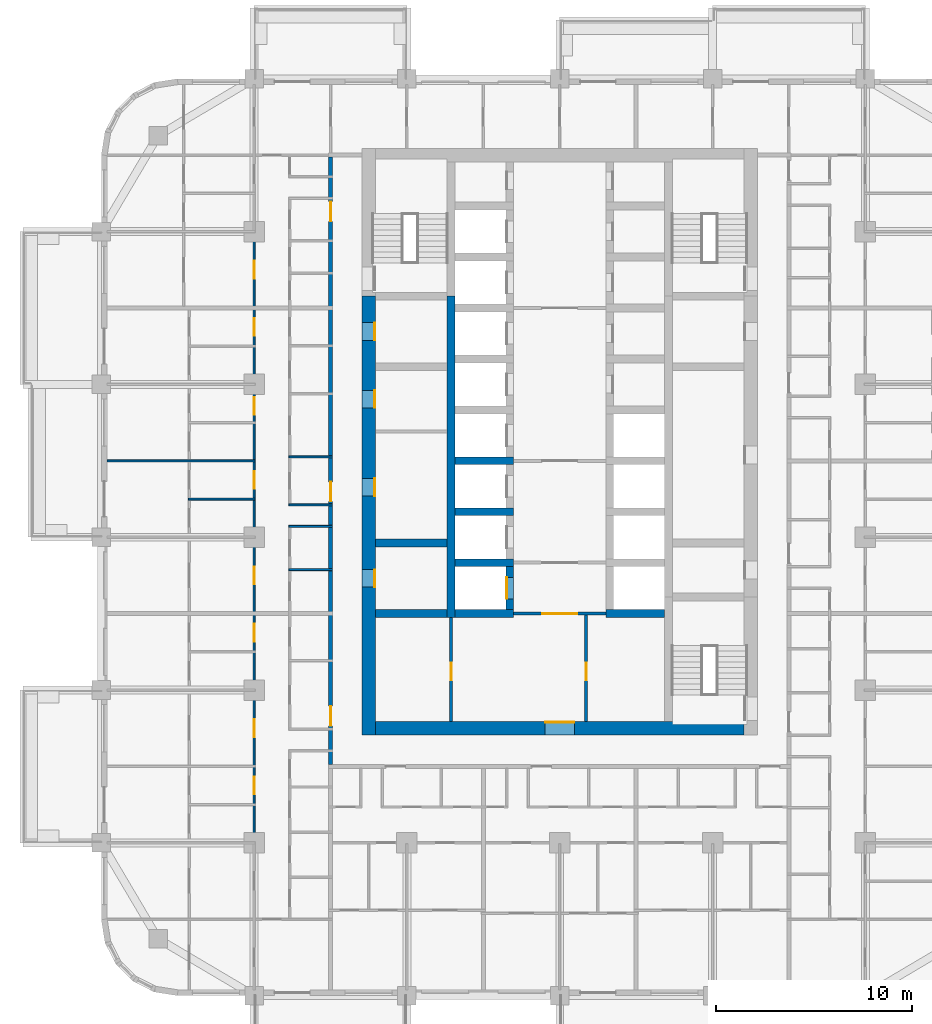
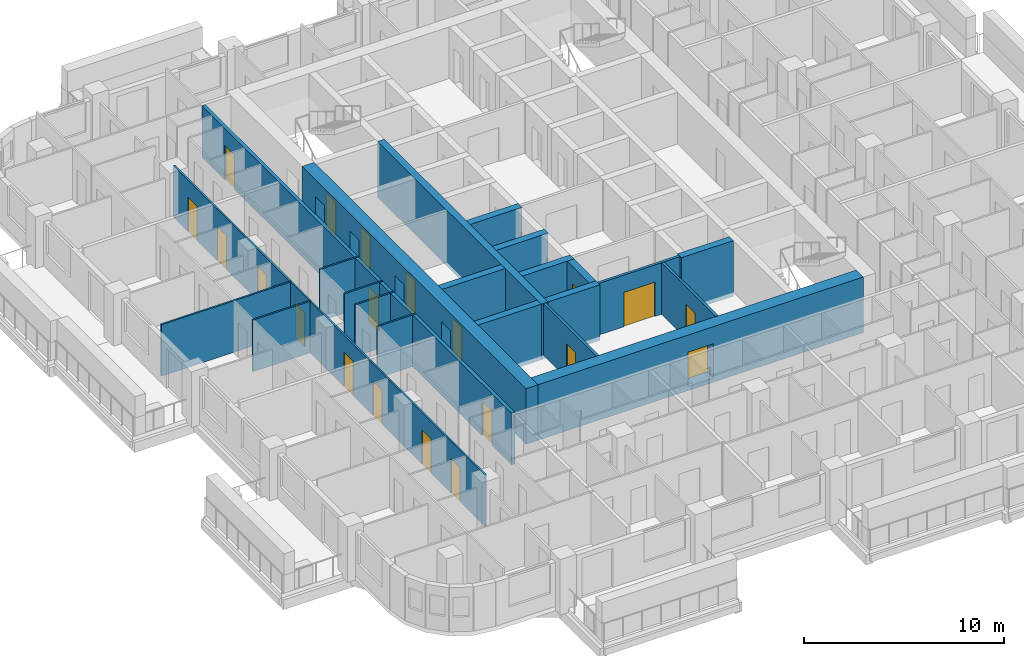
# One storey, part 6 of 18: 22 walls, 20 doors, 20 openings.
"""IFC4 building model written with IfcOpenShell, lengths in metres."""

from ifc_helpers import new_model, si_unit, direction, frame, frame_2d, origin, place, context, subcontext, project, spatial, rectangle, extrude, material, layer, layer_set, type_object, element, fill, save


model = new_model("IFC4")

# Units and contexts
model_context = context("Model", 3, precision=1e-05, world=origin(), true_north=direction((0.0, 1.0)))
body_context = subcontext(model_context, "Body", "Model", "MODEL_VIEW")
ifc_project = project(units=[si_unit("LENGTHUNIT", "METRE"), si_unit("AREAUNIT", "SQUARE_METRE"), si_unit("VOLUMEUNIT", "CUBIC_METRE"), si_unit("PLANEANGLEUNIT", "RADIAN"), si_unit("MASSUNIT", "GRAM", prefix="KILO")], contexts=[model_context])

# Site, building, storey
site_placement = place(None, origin())
site = spatial("IfcSite", under=ifc_project, at=site_placement, CompositionType="ELEMENT")
building_placement = place(site_placement, origin())
building = spatial("IfcBuilding", under=site, at=building_placement, Name="Ludao Terraces", CompositionType="ELEMENT")
storey_placement = place(building_placement, frame((0.0, 0.0, 75.0)))
storey = spatial("IfcBuildingStorey", under=building, at=storey_placement, Name="L20", CompositionType="ELEMENT", Elevation=75.0)

# Wall, openings, doors
ifc_material_1 = material(Name="Concrete C70", Category="concrete")
ifc_layer_1 = layer(ifc_material_1, 0.699951171875)
ifc_layer_set_1 = layer_set([ifc_layer_1], Name="Core wall 700 C70")
wall_type_1 = type_object("IfcWallType", Name="Core wall 700 C70", PredefinedType="SOLIDWALL", material=ifc_layer_set_1)
wall_1_placement = place(storey_placement, frame((75.25, 54.89990234375, -0.25), z_axis=(0.0, 0.0, 1.0), x_axis=(0.0, 1.0, 0.0)))
wall_1 = element("IfcWall", 1, at=wall_1_placement, inside=storey, type_object=wall_type_1, Name="Core wall L20 outer-W", PredefinedType="SOLIDWALL", context=body_context, shape_type="SweptSolid", body=[
    extrude(rectangle(XDim=22.400146484375, YDim=0.699951171875, at=frame_2d((11.2001953125, 0.0))), origin(), (0.0, 0.0, 1.0), 3.39990234375),
])
opening_1_placement = place(wall_1_placement, frame((7.550048828125, 0.0, 0.25)))
opening_1 = element("IfcOpeningElement", 2, at=opening_1_placement, cuts=wall_1, Name="Opening R06-076", PredefinedType="OPENING", context=body_context, shape_type="SweptSolid", body=[
    extrude(rectangle(XDim=0.89990234375, YDim=2.10009765625, at=frame_2d((0.449951171875, 1.050048828125))), frame((0.0, 0.35986328125, 0.0), z_axis=(0.0, -1.0, 0.0), x_axis=(1.0, 0.0, 0.0)), (0.0, 0.0, 1.0), 0.719970703125),
])
opening_2_placement = place(wall_1_placement, frame((12.199951171875, 0.0, 0.25)))
opening_2 = element("IfcOpeningElement", 3, at=opening_2_placement, cuts=wall_1, Name="Opening R06-091", PredefinedType="OPENING", context=body_context, shape_type="SweptSolid", body=[
    extrude(rectangle(XDim=0.89990234375, YDim=2.10009765625, at=frame_2d((0.449951171875, 1.050048828125))), frame((0.0, 0.35986328125, 0.0), z_axis=(0.0, -1.0, 0.0), x_axis=(1.0, 0.0, 0.0)), (0.0, 0.0, 1.0), 0.719970703125),
])
opening_3_placement = place(wall_1_placement, frame((16.699951171875, 0.0, 0.25)))
opening_3 = element("IfcOpeningElement", 4, at=opening_3_placement, cuts=wall_1, Name="Opening R06-109", PredefinedType="OPENING", context=body_context, shape_type="SweptSolid", body=[
    extrude(rectangle(XDim=0.89990234375, YDim=2.10009765625, at=frame_2d((0.449951171875, 1.050048828125))), frame((0.0, 0.35986328125, 0.0), z_axis=(0.0, -1.0, 0.0), x_axis=(1.0, 0.0, 0.0)), (0.0, 0.0, 1.0), 0.719970703125),
])
opening_4_placement = place(wall_1_placement, frame((20.14990234375, 0.0, 0.25)))
opening_4 = element("IfcOpeningElement", 5, at=opening_4_placement, cuts=wall_1, Name="Opening R06-121", PredefinedType="OPENING", context=body_context, shape_type="SweptSolid", body=[
    extrude(rectangle(XDim=0.89990234375, YDim=2.10009765625, at=frame_2d((0.449951171875, 1.050048828125))), frame((0.0, 0.35986328125, 0.0), z_axis=(0.0, -1.0, 0.0), x_axis=(1.0, 0.0, 0.0)), (0.0, 0.0, 1.0), 0.719970703125),
])
ifc_material_2 = material(Name="Steel Q235", Category="steel")
door_type_1 = type_object("IfcDoorType", Name="INT Riser door 900", OperationType="SINGLE_SWING_LEFT", PredefinedType="DOOR", material=ifc_material_2)
door_1_placement = place(opening_1_placement, origin())
door_1 = element("IfcDoor", 6, at=door_1_placement, inside=storey, type_object=door_type_1, Name="DOOR 076", OperationType="SINGLE_SWING_RIGHT", OverallHeight=2.10009765625, OverallWidth=0.89990234375, PredefinedType="DOOR", context=body_context, shape_type="SweptSolid", body=[
    extrude(rectangle(XDim=0.89990234375, YDim=2.10009765625, at=frame_2d((0.449951171875, 1.050048828125))), frame((0.0, -0.28515625, 0.0), z_axis=(0.0, -1.0, 0.0), x_axis=(1.0, 0.0, 0.0)), (0.0, 0.0, 1.0), 0.050048828125),
])
fill(opening_1, door_1)
door_2_placement = place(opening_4_placement, origin())
door_2 = element("IfcDoor", 7, at=door_2_placement, inside=storey, type_object=door_type_1, Name="DOOR 121", OperationType="SINGLE_SWING_RIGHT", OverallHeight=2.10009765625, OverallWidth=0.89990234375, PredefinedType="DOOR", context=body_context, shape_type="SweptSolid", body=[
    extrude(rectangle(XDim=0.89990234375, YDim=2.10009765625, at=frame_2d((0.449951171875, 1.050048828125))), frame((0.0, -0.28515625, 0.0), z_axis=(0.0, -1.0, 0.0), x_axis=(1.0, 0.0, 0.0)), (0.0, 0.0, 1.0), 0.050048828125),
])
fill(opening_4, door_2)
ifc_material_3 = material(Name="Timber door leaf", Category="wood")
door_type_2 = type_object("IfcDoorType", Name="INT Room door 900", OperationType="SINGLE_SWING_LEFT", PredefinedType="DOOR", material=ifc_material_3)
door_3_placement = place(opening_2_placement, origin())
door_3 = element("IfcDoor", 8, at=door_3_placement, inside=storey, type_object=door_type_2, Name="DOOR 091", OperationType="SINGLE_SWING_RIGHT", OverallHeight=2.10009765625, OverallWidth=0.89990234375, PredefinedType="DOOR", context=body_context, shape_type="SweptSolid", body=[
    extrude(rectangle(XDim=0.89990234375, YDim=2.10009765625, at=frame_2d((0.449951171875, 1.050048828125))), frame((0.0, -0.28515625, 0.0), z_axis=(0.0, -1.0, 0.0), x_axis=(1.0, 0.0, 0.0)), (0.0, 0.0, 1.0), 0.050048828125),
])
fill(opening_2, door_3)
door_4_placement = place(opening_3_placement, origin())
door_4 = element("IfcDoor", 9, at=door_4_placement, inside=storey, type_object=door_type_2, Name="DOOR 109", OperationType="SINGLE_SWING_LEFT", OverallHeight=2.10009765625, OverallWidth=0.89990234375, PredefinedType="DOOR", context=body_context, shape_type="SweptSolid", body=[
    extrude(rectangle(XDim=0.89990234375, YDim=2.10009765625, at=frame_2d((0.449951171875, 1.050048828125))), frame((0.0, -0.28515625, 0.0), z_axis=(0.0, -1.0, 0.0), x_axis=(1.0, 0.0, 0.0)), (0.0, 0.0, 1.0), 0.050048828125),
])
fill(opening_3, door_4)

# Wall, opening, door
wall_2_placement = place(storey_placement, frame((75.60009765625, 55.25, -0.25), z_axis=(0.0, 0.0, 1.0), x_axis=(1.0, 0.0, 0.0)))
wall_2 = element("IfcWall", 10, at=wall_2_placement, inside=storey, type_object=wall_type_1, Name="Core wall L20 outer-S", PredefinedType="SOLIDWALL", context=body_context, shape_type="SweptSolid", body=[
    extrude(rectangle(XDim=18.7998046875, YDim=0.699951171875, at=frame_2d((9.39990234375, 0.0))), origin(), (0.0, 0.0, 1.0), 3.39990234375),
])
opening_5_placement = place(wall_2_placement, frame((8.64990234375, 0.0, 0.25)))
opening_5 = element("IfcOpeningElement", 11, at=opening_5_placement, cuts=wall_2, Name="Opening R06-053", PredefinedType="OPENING", context=body_context, shape_type="SweptSolid", body=[
    extrude(rectangle(XDim=1.5, YDim=2.10009765625, at=frame_2d((0.75, 1.050048828125))), frame((0.0, 0.35986328125, 0.0), z_axis=(0.0, -1.0, 0.0), x_axis=(1.0, 0.0, 0.0)), (0.0, 0.0, 1.0), 0.719970703125),
])
door_type_3 = type_object("IfcDoorType", Name="INT Lobby door 1500", OperationType="DOUBLE_DOOR_SINGLE_SWING", PredefinedType="DOOR", material=ifc_material_2)
door_5_placement = place(opening_5_placement, origin())
door_5 = element("IfcDoor", 12, at=door_5_placement, inside=storey, type_object=door_type_3, Name="DOOR 053", OperationType="DOUBLE_DOOR_SINGLE_SWING", OverallHeight=2.10009765625, OverallWidth=1.5, PredefinedType="DOOR", context=body_context, shape_type="SweptSolid", body=[
    extrude(rectangle(XDim=1.5, YDim=2.10009765625, at=frame_2d((0.75, 1.050048828125))), frame((0.0, 0.3349609375, 0.0), z_axis=(0.0, -1.0, 0.0), x_axis=(1.0, 0.0, 0.0)), (0.0, 0.0, 1.0), 0.050048828125),
])
fill(opening_5, door_5)

ifc_material_4 = material(Name="Fire-rated gypsum plasterboard", Category="gypsum")
ifc_layer_2 = layer(ifc_material_4, 0.012451171875, Category="gypsum")
ifc_material_5 = material(Name="Mineral wool")
ifc_layer_3 = layer(ifc_material_5, 0.10009765625, Name="insulation")
ifc_layer_4 = layer(ifc_material_2, 0.02490234375, Name="stud")
ifc_layer_5 = layer(ifc_material_4, 0.012451171875, Category="gypsum")
ifc_layer_set_2 = layer_set([ifc_layer_2, ifc_layer_3, ifc_layer_4, ifc_layer_5], Name="INT Core partition 150")
wall_type_2 = type_object("IfcWallType", Name="INT Core partition 150", PredefinedType="PARTITIONING", material=ifc_layer_set_2)
wall_3_placement = place(storey_placement, frame((82.650146484375, 61.10009765625, 0.0), z_axis=(0.0, 0.0, 1.0), x_axis=(1.0, 0.0, 0.0)))
wall_3 = element("IfcWall", 13, at=wall_3_placement, inside=storey, type_object=wall_type_2, Name="PW-L20-PW034", PredefinedType="PARTITIONING", context=body_context, shape_type="SweptSolid", body=[
    extrude(rectangle(XDim=4.699951171875, YDim=0.14990234375, at=frame_2d((2.35009765625, 0.0))), origin(), (0.0, 0.0, 1.0), 3.14990234375),
])
opening_6_placement = place(wall_3_placement, frame((1.449951171875, 0.0, 0.0)))
opening_6 = element("IfcOpeningElement", 14, at=opening_6_placement, cuts=wall_3, Name="Opening R06-072", PredefinedType="OPENING", context=body_context, shape_type="SweptSolid", body=[
    extrude(rectangle(XDim=1.800048828125, YDim=2.10009765625, at=frame_2d((0.89990234375, 1.050048828125))), frame((0.0, 0.0849609375, 0.0), z_axis=(0.0, -1.0, 0.0), x_axis=(1.0, 0.0, 0.0)), (0.0, 0.0, 1.0), 0.169921875),
])
door_type_4 = type_object("IfcDoorType", Name="INT Fire lobby door 1800", OperationType="DOUBLE_DOOR_SINGLE_SWING", PredefinedType="DOOR", material=ifc_material_2)
door_6_placement = place(opening_6_placement, origin())
door_6 = element("IfcDoor", 15, at=door_6_placement, inside=storey, type_object=door_type_4, Name="DOOR 072", OperationType="DOUBLE_DOOR_SINGLE_SWING", OverallHeight=2.10009765625, OverallWidth=1.800048828125, PredefinedType="DOOR", context=body_context, shape_type="SweptSolid", body=[
    extrude(rectangle(XDim=1.800048828125, YDim=2.10009765625, at=frame_2d((0.89990234375, 1.050048828125))), frame((0.0, 0.02490234375, 0.0), z_axis=(0.0, -1.0, 0.0), x_axis=(1.0, 0.0, 0.0)), (0.0, 0.0, 1.0), 0.050048828125),
])
fill(opening_6, door_6)

wall_4_placement = place(storey_placement, frame((79.449951171875, 55.60009765625, 0.0), z_axis=(0.0, 0.0, 1.0), x_axis=(0.0, 1.0, 0.0)))
wall_4 = element("IfcWall", 16, at=wall_4_placement, inside=storey, type_object=wall_type_2, Name="PW-L20-PW097", PredefinedType="PARTITIONING", context=body_context, shape_type="SweptSolid", body=[
    extrude(rectangle(XDim=5.300048828125, YDim=0.14990234375, at=frame_2d((2.64990234375, 0.0))), origin(), (0.0, 0.0, 1.0), 3.14990234375),
])
opening_7_placement = place(wall_4_placement, frame((2.10009765625, 0.0, 0.0)))
opening_7 = element("IfcOpeningElement", 17, at=opening_7_placement, cuts=wall_4, Name="Opening R06-061", PredefinedType="OPENING", context=body_context, shape_type="SweptSolid", body=[
    extrude(rectangle(XDim=0.89990234375, YDim=2.10009765625, at=frame_2d((0.449951171875, 1.050048828125))), frame((0.0, 0.0849609375, 0.0), z_axis=(0.0, -1.0, 0.0), x_axis=(1.0, 0.0, 0.0)), (0.0, 0.0, 1.0), 0.169921875),
])
door_7_placement = place(opening_7_placement, origin())
door_7 = element("IfcDoor", 18, at=door_7_placement, inside=storey, type_object=door_type_2, Name="DOOR 061", OperationType="SINGLE_SWING_LEFT", OverallHeight=2.10009765625, OverallWidth=0.89990234375, PredefinedType="DOOR", context=body_context, shape_type="SweptSolid", body=[
    extrude(rectangle(XDim=0.89990234375, YDim=2.10009765625, at=frame_2d((0.449951171875, 1.050048828125))), frame((0.0, 0.02490234375, 0.0), z_axis=(0.0, -1.0, 0.0), x_axis=(1.0, 0.0, 0.0)), (0.0, 0.0, 1.0), 0.050048828125),
])
fill(opening_7, door_7)

wall_5_placement = place(storey_placement, frame((86.35009765625, 55.60009765625, 0.0), z_axis=(0.0, 0.0, 1.0), x_axis=(0.0, 1.0, 0.0)))
wall_5 = element("IfcWall", 19, at=wall_5_placement, inside=storey, type_object=wall_type_2, Name="PW-L20-PW104", PredefinedType="PARTITIONING", context=body_context, shape_type="SweptSolid", body=[
    extrude(rectangle(XDim=5.425048828125, YDim=0.14990234375, at=frame_2d((2.71240234375, 0.0))), origin(), (0.0, 0.0, 1.0), 3.14990234375),
])
opening_8_placement = place(wall_5_placement, frame((2.10009765625, 0.0, 0.0)))
opening_8 = element("IfcOpeningElement", 20, at=opening_8_placement, cuts=wall_5, Name="Opening R06-062", PredefinedType="OPENING", context=body_context, shape_type="SweptSolid", body=[
    extrude(rectangle(XDim=0.89990234375, YDim=2.10009765625, at=frame_2d((0.449951171875, 1.050048828125))), frame((0.0, 0.0849609375, 0.0), z_axis=(0.0, -1.0, 0.0), x_axis=(1.0, 0.0, 0.0)), (0.0, 0.0, 1.0), 0.169921875),
])
door_8_placement = place(opening_8_placement, origin())
door_8 = element("IfcDoor", 21, at=door_8_placement, inside=storey, type_object=door_type_2, Name="DOOR 062", OperationType="SINGLE_SWING_RIGHT", OverallHeight=2.10009765625, OverallWidth=0.89990234375, PredefinedType="DOOR", context=body_context, shape_type="SweptSolid", body=[
    extrude(rectangle(XDim=0.89990234375, YDim=2.10009765625, at=frame_2d((0.449951171875, 1.050048828125))), frame((0.0, 0.02490234375, 0.0), z_axis=(0.0, -1.0, 0.0), x_axis=(1.0, 0.0, 0.0)), (0.0, 0.0, 1.0), 0.050048828125),
])
fill(opening_8, door_8)

# Wall, openings, doors
ifc_material_6 = material(Name="Autoclaved aerated concrete block B06 A3.5", Category="concrete")
ifc_layer_6 = layer(ifc_material_6, 0.199951171875)
ifc_layer_set_3 = layer_set([ifc_layer_6], Name="INT Entrance wall 200")
wall_type_3 = type_object("IfcWallType", Name="INT Entrance wall 200", PredefinedType="PARTITIONING", material=ifc_layer_set_3)
wall_6_placement = place(storey_placement, frame((73.300048828125, 53.400146484375, 0.0), z_axis=(0.0, 0.0, 1.0), x_axis=(0.0, 1.0, 0.0)))
wall_6 = element("IfcWall", 22, at=wall_6_placement, inside=storey, type_object=wall_type_3, Name="PW-L20-PW089", PredefinedType="PARTITIONING", context=body_context, shape_type="SweptSolid", body=[
    extrude(rectangle(XDim=31.0, YDim=0.199951171875, at=frame_2d((15.5, 0.0))), origin(), (0.0, 0.0, 1.0), 3.14990234375),
])
opening_9_placement = place(wall_6_placement, frame((1.97509765625, 0.0, 0.0)))
opening_9 = element("IfcOpeningElement", 23, at=opening_9_placement, cuts=wall_6, Name="Opening R06-057", PredefinedType="OPENING", context=body_context, shape_type="SweptSolid", body=[
    extrude(rectangle(XDim=1.0, YDim=2.10009765625, at=frame_2d((0.5, 1.050048828125))), frame((0.0, 0.10986328125, 0.0), z_axis=(0.0, -1.0, 0.0), x_axis=(1.0, 0.0, 0.0)), (0.0, 0.0, 1.0), 0.219970703125),
])
opening_10_placement = place(wall_6_placement, frame((13.425048828125, 0.0, 0.0)))
opening_10 = element("IfcOpeningElement", 24, at=opening_10_placement, cuts=wall_6, Name="Opening R06-089", PredefinedType="OPENING", context=body_context, shape_type="SweptSolid", body=[
    extrude(rectangle(XDim=1.0, YDim=2.10009765625, at=frame_2d((0.5, 1.050048828125))), frame((0.0, 0.10986328125, 0.0), z_axis=(0.0, -1.0, 0.0), x_axis=(1.0, 0.0, 0.0)), (0.0, 0.0, 1.0), 0.219970703125),
])
opening_11_placement = place(wall_6_placement, frame((27.72509765625, 0.0, 0.0)))
opening_11 = element("IfcOpeningElement", 25, at=opening_11_placement, cuts=wall_6, Name="Opening R06-145", PredefinedType="OPENING", context=body_context, shape_type="SweptSolid", body=[
    extrude(rectangle(XDim=1.0, YDim=2.10009765625, at=frame_2d((0.5, 1.050048828125))), frame((0.0, 0.10986328125, 0.0), z_axis=(0.0, -1.0, 0.0), x_axis=(1.0, 0.0, 0.0)), (0.0, 0.0, 1.0), 0.219970703125),
])
door_type_5 = type_object("IfcDoorType", Name="INT Flat entrance door 1000", OperationType="SINGLE_SWING_LEFT", PredefinedType="DOOR", material=ifc_material_2)
door_9_placement = place(opening_9_placement, origin())
door_9 = element("IfcDoor", 26, at=door_9_placement, inside=storey, type_object=door_type_5, Name="DOOR 057", OperationType="SINGLE_SWING_RIGHT", OverallHeight=2.10009765625, OverallWidth=1.0, PredefinedType="DOOR", context=body_context, shape_type="SweptSolid", body=[
    extrude(rectangle(XDim=1.0, YDim=2.10009765625, at=frame_2d((0.5, 1.050048828125))), frame((0.0, 0.02490234375, 0.0), z_axis=(0.0, -1.0, 0.0), x_axis=(1.0, 0.0, 0.0)), (0.0, 0.0, 1.0), 0.050048828125),
])
fill(opening_9, door_9)
door_10_placement = place(opening_10_placement, origin())
door_10 = element("IfcDoor", 27, at=door_10_placement, inside=storey, type_object=door_type_5, Name="DOOR 089", OperationType="SINGLE_SWING_RIGHT", OverallHeight=2.10009765625, OverallWidth=1.0, PredefinedType="DOOR", context=body_context, shape_type="SweptSolid", body=[
    extrude(rectangle(XDim=1.0, YDim=2.10009765625, at=frame_2d((0.5, 1.050048828125))), frame((0.0, 0.02490234375, 0.0), z_axis=(0.0, -1.0, 0.0), x_axis=(1.0, 0.0, 0.0)), (0.0, 0.0, 1.0), 0.050048828125),
])
fill(opening_10, door_10)
door_11_placement = place(opening_11_placement, origin())
door_11 = element("IfcDoor", 28, at=door_11_placement, inside=storey, type_object=door_type_5, Name="DOOR 145", OperationType="SINGLE_SWING_LEFT", OverallHeight=2.10009765625, OverallWidth=1.0, PredefinedType="DOOR", context=body_context, shape_type="SweptSolid", body=[
    extrude(rectangle(XDim=1.0, YDim=2.10009765625, at=frame_2d((0.5, 1.050048828125))), frame((0.0, 0.02490234375, 0.0), z_axis=(0.0, -1.0, 0.0), x_axis=(1.0, 0.0, 0.0)), (0.0, 0.0, 1.0), 0.050048828125),
])
fill(opening_11, door_11)

# Walls
ifc_material_7 = material(Name="Gypsum plasterboard", Category="gypsum")
ifc_layer_7 = layer(ifc_material_7, 0.012451171875, Category="gypsum")
ifc_layer_8 = layer(ifc_material_5, 0.06005859375, Name="insulation")
ifc_layer_9 = layer(ifc_material_2, 0.014892578125, Name="stud")
ifc_layer_10 = layer(ifc_material_7, 0.012451171875, Category="gypsum")
ifc_layer_set_4 = layer_set([ifc_layer_7, ifc_layer_8, ifc_layer_9, ifc_layer_10], Name="INT Partition 100")
wall_type_4 = type_object("IfcWallType", Name="INT Partition 100", PredefinedType="PARTITIONING", material=ifc_layer_set_4)
for number, where, z_axis, x_axis, name in (
    (29, (71.18017578125, 63.35009765625, 0.0), (0.0, 0.0, 1.0), (1.0, 0.0, 0.0), "PW-L20-PW037"),
    (30, (71.18017578125, 65.550048828125, 0.0), (0.0, 0.0, 1.0), (1.0, 0.0, 0.0), "PW-L20-PW042"),
    (31, (71.18017578125, 66.64990234375, 0.0), (0.0, 0.0, 1.0), (1.0, 0.0, 0.0), "PW-L20-PW044"),
):
    element("IfcWall", number, at=place(storey_placement, frame(where, z_axis=z_axis, x_axis=x_axis)), inside=storey, type_object=wall_type_4, Name=name, PredefinedType="PARTITIONING", context=body_context, shape_type="SweptSolid", body=[
        extrude(rectangle(XDim=2.219970703125, YDim=0.10009765625, at=frame_2d((1.10986328125, 0.0))), origin(), (0.0, 0.0, 1.0), 3.14990234375),
    ])
wall_7_placement = place(storey_placement, frame((66.050048828125, 66.949951171875, 0.0), z_axis=(0.0, 0.0, 1.0), x_axis=(1.0, 0.0, 0.0)))
element("IfcWall", 32, at=wall_7_placement, inside=storey, type_object=wall_type_4, Name="PW-L20-PW045", PredefinedType="PARTITIONING", context=body_context, shape_type="SweptSolid", body=[
    extrude(rectangle(XDim=3.400146484375, YDim=0.10009765625, at=frame_2d((1.7001953125, 0.0))), origin(), (0.0, 0.0, 1.0), 3.14990234375),
])
wall_8_placement = place(storey_placement, frame((61.900146484375, 68.89990234375, 0.0), z_axis=(0.0, 0.0, 1.0), x_axis=(1.0, 0.0, 0.0)))
element("IfcWall", 33, at=wall_8_placement, inside=storey, type_object=wall_type_4, Name="PW-L20-PW047", PredefinedType="PARTITIONING", context=body_context, shape_type="SweptSolid", body=[
    extrude(rectangle(XDim=7.550048828125, YDim=0.10009765625, at=frame_2d((3.77490234375, 0.0))), origin(), (0.0, 0.0, 1.0), 3.14990234375),
])
wall_9_placement = place(storey_placement, frame((71.18017578125, 69.10009765625, 0.0), z_axis=(0.0, 0.0, 1.0), x_axis=(1.0, 0.0, 0.0)))
element("IfcWall", 34, at=wall_9_placement, inside=storey, type_object=wall_type_4, Name="PW-L20-PW050", PredefinedType="PARTITIONING", context=body_context, shape_type="SweptSolid", body=[
    extrude(rectangle(XDim=2.219970703125, YDim=0.10009765625, at=frame_2d((1.10986328125, 0.0))), origin(), (0.0, 0.0, 1.0), 3.14990234375),
])

# Wall, openings, doors
wall_10_placement = place(storey_placement, frame((69.39990234375, 49.39990234375, 0.0), z_axis=(0.0, 0.0, 1.0), x_axis=(0.0, 1.0, 0.0)))
wall_10 = element("IfcWall", 35, at=wall_10_placement, inside=storey, type_object=wall_type_4, Name="PW-L20-PW083-2", PredefinedType="PARTITIONING", context=body_context, shape_type="SweptSolid", body=[
    extrude(rectangle(XDim=31.2001953125, YDim=0.10009765625, at=frame_2d((15.60009765625, 0.0))), origin(), (0.0, 0.0, 1.0), 3.14990234375),
])
opening_12_placement = place(wall_10_placement, frame((2.47509765625, 0.0, 0.0)))
opening_12 = element("IfcOpeningElement", 36, at=opening_12_placement, cuts=wall_10, Name="Opening R06-045", PredefinedType="OPENING", context=body_context, shape_type="SweptSolid", body=[
    extrude(rectangle(XDim=0.89990234375, YDim=2.10009765625, at=frame_2d((0.449951171875, 1.050048828125))), frame((0.0, 0.06005859375, 0.0), z_axis=(0.0, -1.0, 0.0), x_axis=(1.0, 0.0, 0.0)), (0.0, 0.0, 1.0), 0.1201171875),
])
opening_13_placement = place(wall_10_placement, frame((5.400146484375, 0.0, 0.0)))
opening_13 = element("IfcOpeningElement", 37, at=opening_13_placement, cuts=wall_10, Name="Opening R06-052", PredefinedType="OPENING", context=body_context, shape_type="SweptSolid", body=[
    extrude(rectangle(XDim=0.89990234375, YDim=2.10009765625, at=frame_2d((0.449951171875, 1.050048828125))), frame((0.0, 0.06005859375, 0.0), z_axis=(0.0, -1.0, 0.0), x_axis=(1.0, 0.0, 0.0)), (0.0, 0.0, 1.0), 0.1201171875),
])
opening_14_placement = place(wall_10_placement, frame((10.275146484375, 0.0, 0.0)))
opening_14 = element("IfcOpeningElement", 38, at=opening_14_placement, cuts=wall_10, Name="Opening R06-068", PredefinedType="OPENING", context=body_context, shape_type="SweptSolid", body=[
    extrude(rectangle(XDim=0.89990234375, YDim=2.10009765625, at=frame_2d((0.449951171875, 1.050048828125))), frame((0.0, 0.06005859375, 0.0), z_axis=(0.0, -1.0, 0.0), x_axis=(1.0, 0.0, 0.0)), (0.0, 0.0, 1.0), 0.1201171875),
])
opening_15_placement = place(wall_10_placement, frame((13.2001953125, 0.0, 0.0)))
opening_15 = element("IfcOpeningElement", 39, at=opening_15_placement, cuts=wall_10, Name="Opening R06-078", PredefinedType="OPENING", context=body_context, shape_type="SweptSolid", body=[
    extrude(rectangle(XDim=0.89990234375, YDim=2.10009765625, at=frame_2d((0.449951171875, 1.050048828125))), frame((0.0, 0.06005859375, 0.0), z_axis=(0.0, -1.0, 0.0), x_axis=(1.0, 0.0, 0.0)), (0.0, 0.0, 1.0), 0.1201171875),
])
opening_16_placement = place(wall_10_placement, frame((18.0751953125, 0.0, 0.0)))
opening_16 = element("IfcOpeningElement", 40, at=opening_16_placement, cuts=wall_10, Name="Opening R06-095", PredefinedType="OPENING", context=body_context, shape_type="SweptSolid", body=[
    extrude(rectangle(XDim=0.89990234375, YDim=2.10009765625, at=frame_2d((0.449951171875, 1.050048828125))), frame((0.0, 0.06005859375, 0.0), z_axis=(0.0, -1.0, 0.0), x_axis=(1.0, 0.0, 0.0)), (0.0, 0.0, 1.0), 0.1201171875),
])
opening_17_placement = place(wall_10_placement, frame((21.85009765625, 0.0, 0.0)))
opening_17 = element("IfcOpeningElement", 41, at=opening_17_placement, cuts=wall_10, Name="Opening R06-105", PredefinedType="OPENING", context=body_context, shape_type="SweptSolid", body=[
    extrude(rectangle(XDim=0.89990234375, YDim=2.10009765625, at=frame_2d((0.449951171875, 1.050048828125))), frame((0.0, 0.06005859375, 0.0), z_axis=(0.0, -1.0, 0.0), x_axis=(1.0, 0.0, 0.0)), (0.0, 0.0, 1.0), 0.1201171875),
])
opening_18_placement = place(wall_10_placement, frame((25.875244140625, 0.0, 0.0)))
opening_18 = element("IfcOpeningElement", 42, at=opening_18_placement, cuts=wall_10, Name="Opening R06-124", PredefinedType="OPENING", context=body_context, shape_type="SweptSolid", body=[
    extrude(rectangle(XDim=0.89990234375, YDim=2.10009765625, at=frame_2d((0.449951171875, 1.050048828125))), frame((0.0, 0.06005859375, 0.0), z_axis=(0.0, -1.0, 0.0), x_axis=(1.0, 0.0, 0.0)), (0.0, 0.0, 1.0), 0.1201171875),
])
opening_19_placement = place(wall_10_placement, frame((28.80029296875, 0.0, 0.0)))
opening_19 = element("IfcOpeningElement", 43, at=opening_19_placement, cuts=wall_10, Name="Opening R06-134", PredefinedType="OPENING", context=body_context, shape_type="SweptSolid", body=[
    extrude(rectangle(XDim=0.89990234375, YDim=2.10009765625, at=frame_2d((0.449951171875, 1.050048828125))), frame((0.0, 0.06005859375, 0.0), z_axis=(0.0, -1.0, 0.0), x_axis=(1.0, 0.0, 0.0)), (0.0, 0.0, 1.0), 0.1201171875),
])
door_12_placement = place(opening_12_placement, origin())
door_12 = element("IfcDoor", 44, at=door_12_placement, inside=storey, type_object=door_type_2, Name="DOOR 045", OperationType="SINGLE_SWING_RIGHT", OverallHeight=2.10009765625, OverallWidth=0.89990234375, PredefinedType="DOOR", context=body_context, shape_type="SweptSolid", body=[
    extrude(rectangle(XDim=0.89990234375, YDim=2.10009765625, at=frame_2d((0.449951171875, 1.050048828125))), frame((0.0, 0.02490234375, 0.0), z_axis=(0.0, -1.0, 0.0), x_axis=(1.0, 0.0, 0.0)), (0.0, 0.0, 1.0), 0.050048828125),
])
fill(opening_12, door_12)
door_13_placement = place(opening_13_placement, origin())
door_13 = element("IfcDoor", 45, at=door_13_placement, inside=storey, type_object=door_type_2, Name="DOOR 052", OperationType="SINGLE_SWING_LEFT", OverallHeight=2.10009765625, OverallWidth=0.89990234375, PredefinedType="DOOR", context=body_context, shape_type="SweptSolid", body=[
    extrude(rectangle(XDim=0.89990234375, YDim=2.10009765625, at=frame_2d((0.449951171875, 1.050048828125))), frame((0.0, 0.02490234375, 0.0), z_axis=(0.0, -1.0, 0.0), x_axis=(1.0, 0.0, 0.0)), (0.0, 0.0, 1.0), 0.050048828125),
])
fill(opening_13, door_13)
door_14_placement = place(opening_14_placement, origin())
door_14 = element("IfcDoor", 46, at=door_14_placement, inside=storey, type_object=door_type_2, Name="DOOR 068", OperationType="SINGLE_SWING_LEFT", OverallHeight=2.10009765625, OverallWidth=0.89990234375, PredefinedType="DOOR", context=body_context, shape_type="SweptSolid", body=[
    extrude(rectangle(XDim=0.89990234375, YDim=2.10009765625, at=frame_2d((0.449951171875, 1.050048828125))), frame((0.0, 0.02490234375, 0.0), z_axis=(0.0, -1.0, 0.0), x_axis=(1.0, 0.0, 0.0)), (0.0, 0.0, 1.0), 0.050048828125),
])
fill(opening_14, door_14)
door_15_placement = place(opening_15_placement, origin())
door_15 = element("IfcDoor", 47, at=door_15_placement, inside=storey, type_object=door_type_2, Name="DOOR 078", OperationType="SINGLE_SWING_LEFT", OverallHeight=2.10009765625, OverallWidth=0.89990234375, PredefinedType="DOOR", context=body_context, shape_type="SweptSolid", body=[
    extrude(rectangle(XDim=0.89990234375, YDim=2.10009765625, at=frame_2d((0.449951171875, 1.050048828125))), frame((0.0, 0.02490234375, 0.0), z_axis=(0.0, -1.0, 0.0), x_axis=(1.0, 0.0, 0.0)), (0.0, 0.0, 1.0), 0.050048828125),
])
fill(opening_15, door_15)
door_16_placement = place(opening_16_placement, origin())
door_16 = element("IfcDoor", 48, at=door_16_placement, inside=storey, type_object=door_type_2, Name="DOOR 095", OperationType="SINGLE_SWING_RIGHT", OverallHeight=2.10009765625, OverallWidth=0.89990234375, PredefinedType="DOOR", context=body_context, shape_type="SweptSolid", body=[
    extrude(rectangle(XDim=0.89990234375, YDim=2.10009765625, at=frame_2d((0.449951171875, 1.050048828125))), frame((0.0, 0.02490234375, 0.0), z_axis=(0.0, -1.0, 0.0), x_axis=(1.0, 0.0, 0.0)), (0.0, 0.0, 1.0), 0.050048828125),
])
fill(opening_16, door_16)
door_17_placement = place(opening_17_placement, origin())
door_17 = element("IfcDoor", 49, at=door_17_placement, inside=storey, type_object=door_type_2, Name="DOOR 105", OperationType="SINGLE_SWING_LEFT", OverallHeight=2.10009765625, OverallWidth=0.89990234375, PredefinedType="DOOR", context=body_context, shape_type="SweptSolid", body=[
    extrude(rectangle(XDim=0.89990234375, YDim=2.10009765625, at=frame_2d((0.449951171875, 1.050048828125))), frame((0.0, 0.02490234375, 0.0), z_axis=(0.0, -1.0, 0.0), x_axis=(1.0, 0.0, 0.0)), (0.0, 0.0, 1.0), 0.050048828125),
])
fill(opening_17, door_17)
door_18_placement = place(opening_18_placement, origin())
door_18 = element("IfcDoor", 50, at=door_18_placement, inside=storey, type_object=door_type_2, Name="DOOR 124", OperationType="SINGLE_SWING_RIGHT", OverallHeight=2.10009765625, OverallWidth=0.89990234375, PredefinedType="DOOR", context=body_context, shape_type="SweptSolid", body=[
    extrude(rectangle(XDim=0.89990234375, YDim=2.10009765625, at=frame_2d((0.449951171875, 1.050048828125))), frame((0.0, 0.02490234375, 0.0), z_axis=(0.0, -1.0, 0.0), x_axis=(1.0, 0.0, 0.0)), (0.0, 0.0, 1.0), 0.050048828125),
])
fill(opening_18, door_18)
door_19_placement = place(opening_19_placement, origin())
door_19 = element("IfcDoor", 51, at=door_19_placement, inside=storey, type_object=door_type_2, Name="DOOR 134", OperationType="SINGLE_SWING_RIGHT", OverallHeight=2.10009765625, OverallWidth=0.89990234375, PredefinedType="DOOR", context=body_context, shape_type="SweptSolid", body=[
    extrude(rectangle(XDim=0.89990234375, YDim=2.10009765625, at=frame_2d((0.449951171875, 1.050048828125))), frame((0.0, 0.02490234375, 0.0), z_axis=(0.0, -1.0, 0.0), x_axis=(1.0, 0.0, 0.0)), (0.0, 0.0, 1.0), 0.050048828125),
])
fill(opening_19, door_19)

# Walls
ifc_material_8 = material(Name="Concrete C60", Category="concrete")
ifc_layer_11 = layer(ifc_material_8, 0.39990234375)
ifc_layer_set_5 = layer_set([ifc_layer_11], Name="Shaft wall 400 C60")
wall_type_5 = type_object("IfcWallType", Name="Shaft wall 400 C60", PredefinedType="SOLIDWALL", material=ifc_layer_set_5)
wall_11_placement = place(storey_placement, frame((79.449951171875, 60.89990234375, -0.25), z_axis=(0.0, 0.0, 1.0), x_axis=(0.0, 1.0, 0.0)))
element("IfcWall", 52, at=wall_11_placement, inside=storey, type_object=wall_type_5, Name="Core wall L20 back-W", PredefinedType="SOLIDWALL", context=body_context, shape_type="SweptSolid", body=[
    extrude(rectangle(XDim=16.400146484375, YDim=0.39990234375, at=frame_2d((8.2001953125, 0.0))), origin(), (0.0, 0.0, 1.0), 3.39990234375),
])
wall_12_placement = place(storey_placement, frame((79.64990234375, 61.10009765625, -0.25), z_axis=(0.0, 0.0, 1.0), x_axis=(1.0, 0.0, 0.0)))
element("IfcWall", 53, at=wall_12_placement, inside=storey, type_object=wall_type_5, Name="Core wall L20 div-W1", PredefinedType="SOLIDWALL", context=body_context, shape_type="SweptSolid", body=[
    extrude(rectangle(XDim=3.0, YDim=0.39990234375, at=frame_2d((1.5, 0.0))), origin(), (0.0, 0.0, 1.0), 3.39990234375),
])

# Wall, opening, door
wall_13_placement = place(storey_placement, frame((82.449951171875, 61.300048828125, -0.25), z_axis=(0.0, 0.0, 1.0), x_axis=(0.0, 1.0, 0.0)))
wall_13 = element("IfcWall", 54, at=wall_13_placement, inside=storey, type_object=wall_type_5, Name="Core wall L20 front-W1", PredefinedType="SOLIDWALL", context=body_context, shape_type="SweptSolid", body=[
    extrude(rectangle(XDim=2.199951171875, YDim=0.39990234375, at=frame_2d((1.10009765625, 0.0))), origin(), (0.0, 0.0, 1.0), 3.39990234375),
])
opening_20_placement = place(wall_13_placement, frame((0.550048828125, 0.0, 0.25)))
opening_20 = element("IfcOpeningElement", 55, at=opening_20_placement, cuts=wall_13, Name="Opening LD-LA1", PredefinedType="OPENING", context=body_context, shape_type="SweptSolid", body=[
    extrude(rectangle(XDim=1.10009765625, YDim=2.10009765625, at=frame_2d((0.550048828125, 1.050048828125))), frame((0.0, 0.2099609375, 0.0), z_axis=(0.0, -1.0, 0.0), x_axis=(1.0, 0.0, 0.0)), (0.0, 0.0, 1.0), 0.419921875),
])
ifc_material_9 = material(Name="Stainless steel 304", Category="steel")
door_type_6 = type_object("IfcDoorType", Name="INT Lift landing door 1100", OperationType="SLIDING_TO_LEFT", PredefinedType="DOOR", material=ifc_material_9)
door_20_placement = place(opening_20_placement, origin())
door_20 = element("IfcDoor", 56, at=door_20_placement, inside=storey, type_object=door_type_6, Name="LANDING DOOR LA1 L20", OperationType="SLIDING_TO_RIGHT", OverallHeight=2.10009765625, OverallWidth=1.10009765625, PredefinedType="DOOR", context=body_context, shape_type="SweptSolid", body=[
    extrude(rectangle(XDim=1.10009765625, YDim=2.10009765625, at=frame_2d((0.550048828125, 1.050048828125))), frame((0.0, 0.18505859375, 0.0), z_axis=(0.0, -1.0, 0.0), x_axis=(1.0, 0.0, 0.0)), (0.0, 0.0, 1.0), 0.050048828125),
])
fill(opening_20, door_20)

# Walls
for number, where, z_axis, x_axis, name in (
    (57, (79.64990234375, 63.699951171875, -0.25), (0.0, 0.0, 1.0), (1.0, 0.0, 0.0), "Core wall L20 div-W2"),
    (58, (79.64990234375, 66.300048828125, -0.25), (0.0, 0.0, 1.0), (1.0, 0.0, 0.0), "Core wall L20 div-W3"),
    (59, (79.64990234375, 68.89990234375, -0.25), (0.0, 0.0, 1.0), (1.0, 0.0, 0.0), "Core wall L20 div-W4"),
    (60, (87.35009765625, 61.10009765625, -0.25), (0.0, 0.0, 1.0), (1.0, 0.0, 0.0), "Core wall L20 div-E1"),
):
    element("IfcWall", number, at=place(storey_placement, frame(where, z_axis=z_axis, x_axis=x_axis)), inside=storey, type_object=wall_type_5, Name=name, PredefinedType="SOLIDWALL", context=body_context, shape_type="SweptSolid", body=[
        extrude(rectangle(XDim=3.0, YDim=0.39990234375, at=frame_2d((1.5, 0.0))), origin(), (0.0, 0.0, 1.0), 3.39990234375),
    ])
for number, where, z_axis, x_axis, name in (
    (61, (75.60009765625, 61.10009765625, -0.25), (0.0, 0.0, 1.0), (1.0, 0.0, 0.0), "Core wall L20 hall-W"),
    (62, (75.60009765625, 64.699951171875, -0.25), (0.0, 0.0, 1.0), (1.0, 0.0, 0.0), "Core wall L20 riser-a-W"),
):
    element("IfcWall", number, at=place(storey_placement, frame(where, z_axis=z_axis, x_axis=x_axis)), inside=storey, type_object=wall_type_5, Name=name, PredefinedType="SOLIDWALL", context=body_context, shape_type="SweptSolid", body=[
        extrude(rectangle(XDim=3.64990234375, YDim=0.39990234375, at=frame_2d((1.824951171875, 0.0))), origin(), (0.0, 0.0, 1.0), 3.39990234375),
    ])

save(model, "model.ifc")
